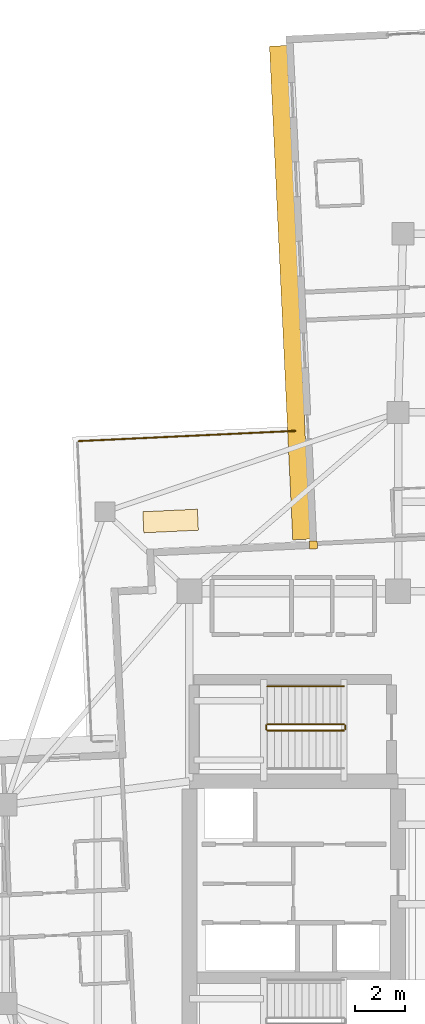
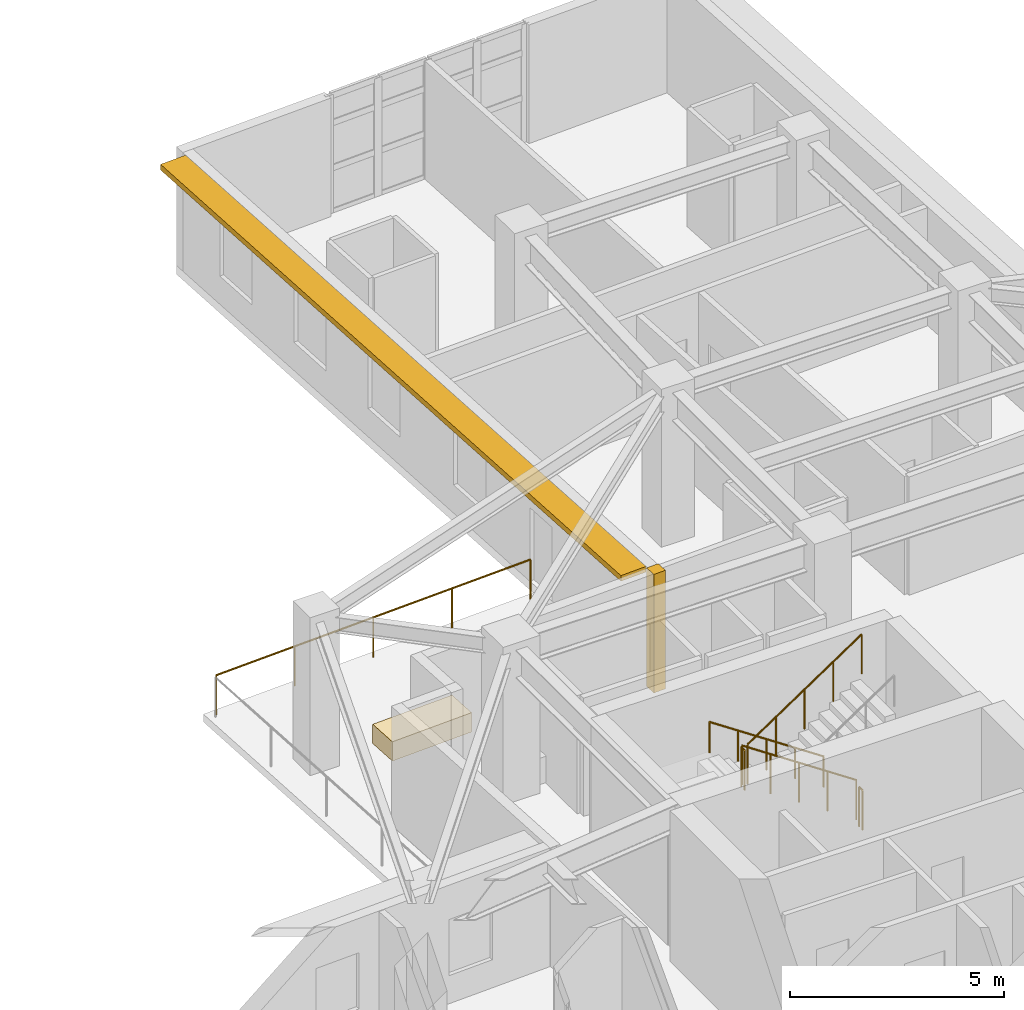
# One storey, part 21 of 22: 6 railings, 2 coverings, 1 shading device.
"""IFC4 building model written with IfcOpenShell, lengths in metres."""

from ifc_helpers import new_model, si_unit, direction, frame, origin, origin_2d, place, context, subcontext, project, spatial, rectangle, circle, extrude, material, layer, layer_set, type_object, element, save


model = new_model("IFC4")

# Units and contexts
model_context = context("Model", 3, precision=1e-05, world=origin(), true_north=direction((0.0, 1.0)))
body_context = subcontext(model_context, "Body", "Model", "MODEL_VIEW")
ifc_project = project(units=[si_unit("LENGTHUNIT", "METRE"), si_unit("AREAUNIT", "SQUARE_METRE"), si_unit("VOLUMEUNIT", "CUBIC_METRE"), si_unit("PLANEANGLEUNIT", "RADIAN"), si_unit("MASSUNIT", "GRAM", prefix="KILO")], contexts=[model_context])

# Site, building, storey
site_placement = place(None, origin())
site = spatial("IfcSite", under=ifc_project, at=site_placement, CompositionType="ELEMENT")
building_placement = place(site_placement, origin())
building = spatial("IfcBuilding", under=site, at=building_placement, Name="Qingluan Cross Belvedere", CompositionType="ELEMENT")
storey_placement = place(building_placement, frame((0.0, 0.0, 196.800048828125)))
storey = spatial("IfcBuildingStorey", under=building, at=storey_placement, Name="L49", CompositionType="ELEMENT", Elevation=196.800048828125)

# Covering
ifc_material_1 = material(Name="Precast concrete C45", Category="concrete")
ifc_layer_1 = layer(ifc_material_1, 0.1201171875, Name="ConcreteSpandrelCladding_120")
ifc_layer_set_1 = layer_set([ifc_layer_1], Name="Precast concrete C45")
covering_type_1 = type_object("IfcCoveringType", Name="ConcreteSpandrelCladding_120", PredefinedType="CLADDING", material=ifc_layer_set_1)
covering_1_placement = place(storey_placement, frame((-7.40966796875, 14.467041015625, 0.0), z_axis=(0.0, 0.0, 1.0), x_axis=(0.998889874962, 0.04710645071, 0.0)))
element("IfcCovering", 1, at=covering_1_placement, inside=storey, type_object=covering_type_1, Name="Corner closure L49-NW2", PredefinedType="CLADDING", context=body_context, shape_type="SweptSolid", body=[
    extrude(rectangle(XDim=0.320068359375, YDim=0.320068359375, at=origin_2d()), origin(), (0.0, 0.0, 1.0), 3.3798828125),
])

# Shading device
ifc_material_2 = material(Name="Precast concrete C45", Category="concrete")
ifc_layer_2 = layer(ifc_material_2, 0.139892578125, Name="ConcreteSunshadeBand_700")
ifc_layer_set_2 = layer_set([ifc_layer_2], Name="Precast concrete C45")
shading_device_type = type_object("IfcShadingDeviceType", Name="ConcreteSunshadeBand_700", PredefinedType="USERDEFINED", material=ifc_layer_set_2)
shading_device_placement = place(storey_placement, frame((-8.359130859375, 24.62353515625, 3.2001953125), z_axis=(0.0, 0.0, 1.0), x_axis=(0.047104684445, -0.998889958255, 0.0)))
element("IfcShadingDevice", 2, at=shading_device_placement, inside=storey, type_object=shading_device_type, Name="Concrete SUNSHADE L49-NB", ObjectType="SUNSHADE", PredefinedType="USERDEFINED", context=body_context, shape_type="SweptSolid", body=[
    extrude(rectangle(XDim=19.89990234375, YDim=0.699951171875, at=origin_2d()), origin(), (0.0, 0.0, 1.0), 0.159912109375),
])

# Railings
ifc_material_3 = material(Name="Brushed stainless steel tubular handrail", Category="steel")
railing_type_1 = type_object("IfcRailingType", Name="StairPitchHandrail_900", PredefinedType="HANDRAIL", material=ifc_material_3)
railing_1_placement = place(storey_placement, frame((-6.179931640625, 8.77001953125, 0.1875)))
element("IfcRailing", 3, at=railing_1_placement, inside=storey, type_object=railing_type_1, Name="L49 ST3 stair handrail 1", PredefinedType="HANDRAIL", context=body_context, shape_type="SweptSolid", body=[
    extrude(circle(Radius=0.02392578125, at=origin_2d()), frame((0.0, 0.0, 0.8759765625), z_axis=(-0.830913701846, 0.0, 0.55640131208), x_axis=(0.0, -1.0, 0.0)), (0.0, 0.0, 1.0), 3.706787109375),
    extrude(circle(Radius=0.02099609375, at=origin_2d()), origin(), (0.0, 0.0, 1.0), 0.851806640625),
    extrude(circle(Radius=0.02099609375, at=origin_2d()), frame((-0.77001953125, 0.0, 0.515625)), (0.0, 0.0, 1.0), 0.851806640625),
    extrude(circle(Radius=0.02099609375, at=origin_2d()), frame((-1.5400390625, 0.0, 1.03125)), (0.0, 0.0, 1.0), 0.851806640625),
    extrude(circle(Radius=0.02099609375, at=origin_2d()), frame((-2.31005859375, 0.0, 1.546875)), (0.0, 0.0, 1.0), 0.851806640625),
    extrude(circle(Radius=0.02099609375, at=origin_2d()), frame((-3.080078125, 0.0, 2.0625)), (0.0, 0.0, 1.0), 0.851806640625),
])
ifc_material_4 = material(Name="Painted steel stair well guard", Category="steel")
railing_type_2 = type_object("IfcRailingType", Name="StairWellGuard_1150", PredefinedType="BALUSTRADE", material=ifc_material_4)
railing_2_placement = place(storey_placement, frame((-6.179931640625, 7.25, 0.1875)))
element("IfcRailing", 4, at=railing_2_placement, inside=storey, type_object=railing_type_2, Name="L49 ST3 stair guard 1", PredefinedType="BALUSTRADE", context=body_context, shape_type="SweptSolid", body=[
    extrude(circle(Radius=0.02392578125, at=origin_2d()), frame((0.0, 0.0, 1.1259765625), z_axis=(-0.830913701846, 0.0, 0.55640131208), x_axis=(0.0, -1.0, 0.0)), (0.0, 0.0, 1.0), 3.706787109375),
    extrude(circle(Radius=0.02099609375, at=origin_2d()), origin(), (0.0, 0.0, 1.0), 1.101806640625),
    extrude(circle(Radius=0.02099609375, at=origin_2d()), frame((-0.77001953125, 0.0, 0.515625)), (0.0, 0.0, 1.0), 1.101806640625),
    extrude(circle(Radius=0.02099609375, at=origin_2d()), frame((-1.5400390625, 0.0, 1.03125)), (0.0, 0.0, 1.0), 1.101806640625),
    extrude(circle(Radius=0.02099609375, at=origin_2d()), frame((-2.31005859375, 0.0, 1.546875)), (0.0, 0.0, 1.0), 1.101806640625),
    extrude(circle(Radius=0.02099609375, at=origin_2d()), frame((-3.080078125, 0.0, 2.0625)), (0.0, 0.0, 1.0), 1.101806640625),
])
railing_3_placement = place(storey_placement, frame((-9.31005859375, 7.199951171875, 2.25)))
element("IfcRailing", 5, at=railing_3_placement, inside=storey, type_object=railing_type_2, Name="L49 ST3 stair guard 2", PredefinedType="BALUSTRADE", context=body_context, shape_type="SweptSolid", body=[
    extrude(circle(Radius=0.02392578125, at=origin_2d()), frame((0.0, 0.0, 1.1259765625), z_axis=(0.0, -1.0, 0.0), x_axis=(1.0, 0.0, 0.0)), (0.0, 0.0, 1.0), 0.159912109375),
    extrude(circle(Radius=0.02099609375, at=origin_2d()), origin(), (0.0, 0.0, 1.0), 1.101806640625),
    extrude(circle(Radius=0.02099609375, at=origin_2d()), frame((0.0, -0.159912109375, 0.0)), (0.0, 0.0, 1.0), 1.101806640625),
])
railing_4_placement = place(storey_placement, frame((-9.260009765625, 6.989990234375, 2.4375)))
element("IfcRailing", 6, at=railing_4_placement, inside=storey, type_object=railing_type_2, Name="L49 ST3 stair guard 3", PredefinedType="BALUSTRADE", context=body_context, shape_type="SweptSolid", body=[
    extrude(circle(Radius=0.02392578125, at=origin_2d()), frame((0.0, 0.0, 1.1259765625), z_axis=(0.830913701846, 0.0, 0.55640131208), x_axis=(0.0, 1.0, 0.0)), (0.0, 0.0, 1.0), 3.706787109375),
    extrude(circle(Radius=0.02099609375, at=origin_2d()), origin(), (0.0, 0.0, 1.0), 1.101806640625),
    extrude(circle(Radius=0.02099609375, at=origin_2d()), frame((0.77001953125, 0.0, 0.515625)), (0.0, 0.0, 1.0), 1.101806640625),
    extrude(circle(Radius=0.02099609375, at=origin_2d()), frame((1.5400390625, 0.0, 1.03125)), (0.0, 0.0, 1.0), 1.101806640625),
    extrude(circle(Radius=0.02099609375, at=origin_2d()), frame((2.31005859375, 0.0, 1.546875)), (0.0, 0.0, 1.0), 1.101806640625),
    extrude(circle(Radius=0.02099609375, at=origin_2d()), frame((3.080078125, 0.0, 2.0625)), (0.0, 0.0, 1.0), 1.101806640625),
])
railing_5_placement = place(storey_placement, frame((-6.1298828125, 7.199951171875, 0.0)))
element("IfcRailing", 7, at=railing_5_placement, inside=storey, type_object=railing_type_2, Name="L49 ST3 stair guard 4", PredefinedType="BALUSTRADE", context=body_context, shape_type="SweptSolid", body=[
    extrude(circle(Radius=0.02392578125, at=origin_2d()), frame((0.0, 0.0, 1.1259765625), z_axis=(0.0, -1.0, 0.0), x_axis=(1.0, 0.0, 0.0)), (0.0, 0.0, 1.0), 0.159912109375),
    extrude(circle(Radius=0.02099609375, at=origin_2d()), origin(), (0.0, 0.0, 1.0), 1.101806640625),
    extrude(circle(Radius=0.02099609375, at=origin_2d()), frame((0.0, -0.159912109375, 0.0)), (0.0, 0.0, 1.0), 1.101806640625),
])
ifc_material_5 = material(Name="Laminated glass and stainless steel balustrade", Category="steel")
railing_type_3 = type_object("IfcRailingType", Name="TerraceGuardBalustrade_1150", PredefinedType="BALUSTRADE", material=ifc_material_5)
railing_6_placement = place(storey_placement, frame((-16.857177734375, 18.646484375, 0.0)))
element("IfcRailing", 8, at=railing_6_placement, inside=storey, type_object=railing_type_3, Name="Terrace guard L49-2", PredefinedType="BALUSTRADE", context=body_context, shape_type="SweptSolid", body=[
    extrude(circle(Radius=0.02392578125, at=origin_2d()), frame((0.0, 0.0, 1.1259765625), z_axis=(0.998889258033, 0.047119530839, 0.0), x_axis=(-0.047119530839, 0.998889258033, 0.0)), (0.0, 0.0, 1.0), 8.72021484375),
    extrude(circle(Radius=0.02099609375, at=origin_2d()), origin(), (0.0, 0.0, 1.0), 1.101806640625),
    extrude(circle(Radius=0.02099609375, at=origin_2d()), frame((2.177734375, 0.102783203125, 0.0)), (0.0, 0.0, 1.0), 1.101806640625),
    extrude(circle(Radius=0.02099609375, at=origin_2d()), frame((4.355224609375, 0.20556640625, 0.0)), (0.0, 0.0, 1.0), 1.101806640625),
    extrude(circle(Radius=0.02099609375, at=origin_2d()), frame((6.53271484375, 0.30810546875, 0.0)), (0.0, 0.0, 1.0), 1.101806640625),
    extrude(circle(Radius=0.02099609375, at=origin_2d()), frame((8.71044921875, 0.410888671875, 0.0)), (0.0, 0.0, 1.0), 1.101806640625),
])

# Covering
ifc_material_6 = material(Name="Precast concrete C40", Category="concrete")
ifc_layer_3 = layer(ifc_material_6, 0.550048828125, Name="TerracePlanterBox")
ifc_layer_set_3 = layer_set([ifc_layer_3], Name="Precast concrete C40")
covering_type_2 = type_object("IfcCoveringType", Name="TerracePlanterBox", PredefinedType="USERDEFINED", material=ifc_layer_set_3)
covering_2_placement = place(storey_placement, frame((-13.158935546875, 15.429931640625, 0.0), z_axis=(0.0, 0.0, 1.0), x_axis=(0.998889874962, 0.04710645071, 0.0)))
element("IfcCovering", 9, at=covering_2_placement, inside=storey, type_object=covering_type_2, Name="Spiralling winter-garden planter L49", ObjectType="PLANTER", PredefinedType="USERDEFINED", context=body_context, shape_type="SweptSolid", body=[
    extrude(rectangle(XDim=2.199951171875, YDim=0.85009765625, at=origin_2d()), origin(), (0.0, 0.0, 1.0), 0.550048828125),
])

save(model, "model.ifc")
